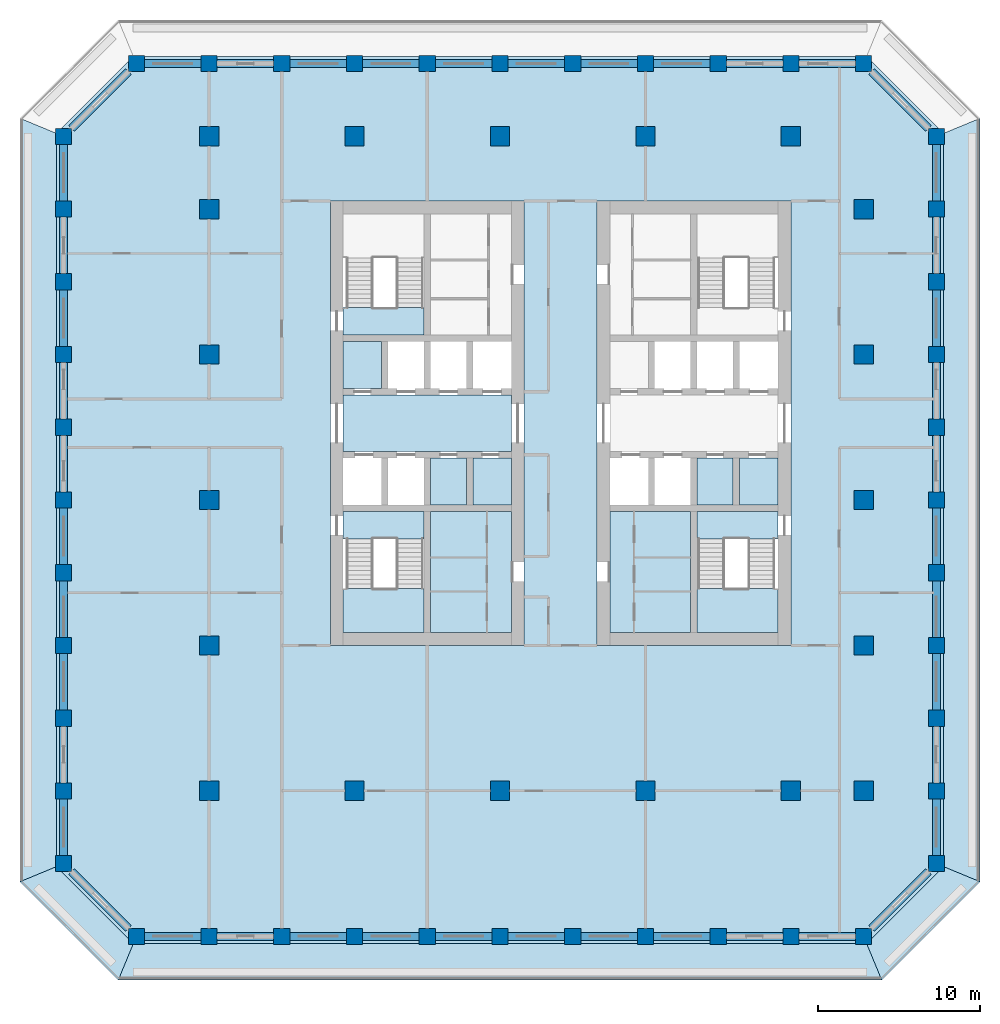
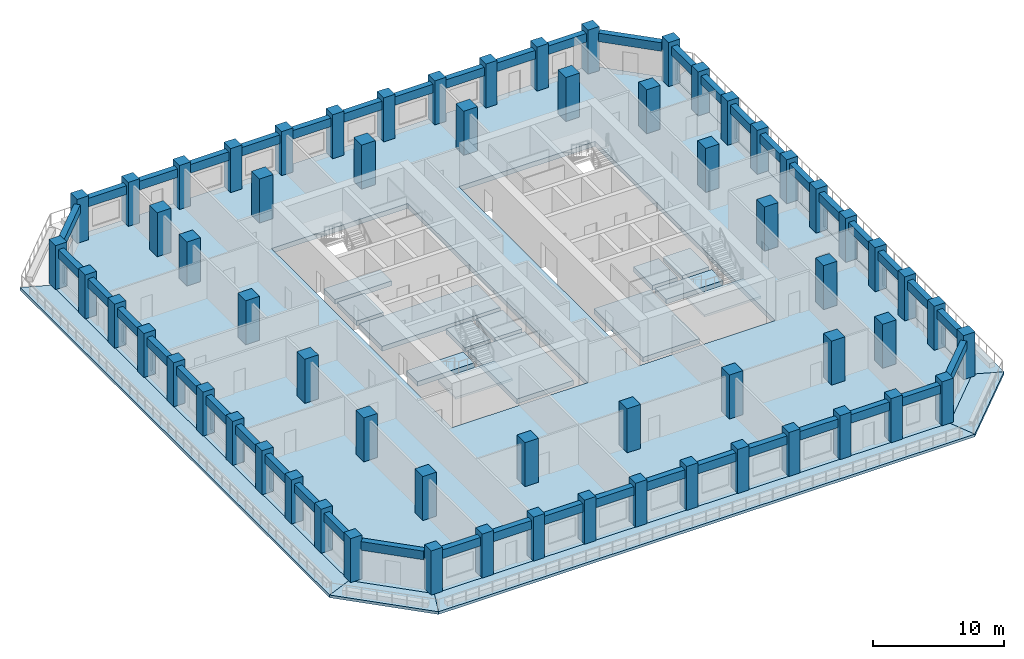
# One storey, part 1 of 16: 63 columns, 44 beams, 19 slabs, 2 elements without a shape of their own.
"""IFC4 building model written with IfcOpenShell, lengths in metres."""

from ifc_helpers import new_model, si_unit, direction, frame, origin, origin_2d, place, context, subcontext, project, spatial, polyline, rectangle, outline, extrude, material, layer, layer_set, material_profile, profile_set, type_object, element, aggregate, save


model = new_model("IFC4")

# Units and contexts
model_context = context("Model", 3, precision=1e-05, world=origin(), true_north=direction((0.0, 1.0)))
body_context = subcontext(model_context, "Body", "Model", "MODEL_VIEW")
ifc_project = project(units=[si_unit("LENGTHUNIT", "METRE"), si_unit("AREAUNIT", "SQUARE_METRE"), si_unit("VOLUMEUNIT", "CUBIC_METRE"), si_unit("PLANEANGLEUNIT", "RADIAN"), si_unit("MASSUNIT", "GRAM", prefix="KILO")], contexts=[model_context])

# Site, building, storey
site_placement = place(None, origin())
site = spatial("IfcSite", under=ifc_project, at=site_placement, CompositionType="ELEMENT")
building_placement = place(site_placement, origin())
building = spatial("IfcBuilding", under=site, at=building_placement, Name="Corbel Stack Research Tower", CompositionType="ELEMENT")
storey_placement = place(building_placement, frame((0.0, 0.0, 169.10009765625)))
storey = spatial("IfcBuildingStorey", under=building, at=storey_placement, Name="L38", CompositionType="ELEMENT", Elevation=169.10009765625)

# Columns
ifc_material_1 = material(Name="Concrete C60/75", Category="concrete")
ifc_material_profile_1 = material_profile(ifc_material_1, rectangle(XDim=1.0, YDim=1.0, at=origin_2d()), Name="RC 1000 x 1000")
ifc_profile_set_1 = profile_set([ifc_material_profile_1], Name="Concrete C60/75")
column_type_1 = type_object("IfcColumnType", Name="C-1000-60", PredefinedType="COLUMN", material=ifc_profile_set_1)
for number, where, z_axis, x_axis, name in (
    (1, (-27.0, -22.5, 0.0), (0.0, 0.0, 1.0), (1.0, 0.0, 0.0), "Column 2/C L38"),
    (2, (-27.0, -18.0, 0.0), (0.0, 0.0, 1.0), (1.0, 0.0, 0.0), "Column 2/D L38"),
    (3, (-27.0, -13.5, 0.0), (0.0, 0.0, 1.0), (1.0, 0.0, 0.0), "Column 2/E L38"),
    (4, (-27.0, -9.0, 0.0), (0.0, 0.0, 1.0), (1.0, 0.0, 0.0), "Column 2/F L38"),
    (5, (-27.0, -4.5, 0.0), (0.0, 0.0, 1.0), (1.0, 0.0, 0.0), "Column 2/G L38"),
    (6, (-27.0, 0.0, 0.0), (0.0, 0.0, 1.0), (1.0, 0.0, 0.0), "Column 2/H L38"),
    (7, (-27.0, 4.5, 0.0), (0.0, 0.0, 1.0), (1.0, 0.0, 0.0), "Column 2/J L38"),
    (8, (-27.0, 9.0, 0.0), (0.0, 0.0, 1.0), (1.0, 0.0, 0.0), "Column 2/K L38"),
    (9, (-27.0, 13.5, 0.0), (0.0, 0.0, 1.0), (1.0, 0.0, 0.0), "Column 2/L L38"),
    (10, (-27.0, 18.0, 0.0), (0.0, 0.0, 1.0), (1.0, 0.0, 0.0), "Column 2/M L38"),
    (11, (-27.0, 22.5, 0.0), (0.0, 0.0, 1.0), (1.0, 0.0, 0.0), "Column 2/N L38"),
    (12, (-22.5, -27.0, 0.0), (0.0, 0.0, 1.0), (1.0, 0.0, 0.0), "Column 3/B L38"),
    (13, (-22.5, 27.0, 0.0), (0.0, 0.0, 1.0), (1.0, 0.0, 0.0), "Column 3/P L38"),
    (14, (-18.0, -27.0, 0.0), (0.0, 0.0, 1.0), (1.0, 0.0, 0.0), "Column 4/B L38"),
    (15, (-18.0, 27.0, 0.0), (0.0, 0.0, 1.0), (1.0, 0.0, 0.0), "Column 4/P L38"),
    (16, (-13.5, -27.0, 0.0), (0.0, 0.0, 1.0), (1.0, 0.0, 0.0), "Column 5/B L38"),
    (17, (-13.5, 27.0, 0.0), (0.0, 0.0, 1.0), (1.0, 0.0, 0.0), "Column 5/P L38"),
    (18, (-9.0, -27.0, 0.0), (0.0, 0.0, 1.0), (1.0, 0.0, 0.0), "Column 6/B L38"),
    (19, (-9.0, 27.0, 0.0), (0.0, 0.0, 1.0), (1.0, 0.0, 0.0), "Column 6/P L38"),
    (20, (-4.5, -27.0, 0.0), (0.0, 0.0, 1.0), (1.0, 0.0, 0.0), "Column 7/B L38"),
    (21, (-4.5, 27.0, 0.0), (0.0, 0.0, 1.0), (1.0, 0.0, 0.0), "Column 7/P L38"),
    (22, (0.0, -27.0, 0.0), (0.0, 0.0, 1.0), (1.0, 0.0, 0.0), "Column 8/B L38"),
    (23, (0.0, 27.0, 0.0), (0.0, 0.0, 1.0), (1.0, 0.0, 0.0), "Column 8/P L38"),
    (24, (4.5, -27.0, 0.0), (0.0, 0.0, 1.0), (1.0, 0.0, 0.0), "Column 9/B L38"),
    (25, (4.5, 27.0, 0.0), (0.0, 0.0, 1.0), (1.0, 0.0, 0.0), "Column 9/P L38"),
    (26, (9.0, -27.0, 0.0), (0.0, 0.0, 1.0), (1.0, 0.0, 0.0), "Column 10/B L38"),
    (27, (9.0, 27.0, 0.0), (0.0, 0.0, 1.0), (1.0, 0.0, 0.0), "Column 10/P L38"),
    (28, (13.5, -27.0, 0.0), (0.0, 0.0, 1.0), (1.0, 0.0, 0.0), "Column 11/B L38"),
    (29, (13.5, 27.0, 0.0), (0.0, 0.0, 1.0), (1.0, 0.0, 0.0), "Column 11/P L38"),
    (30, (18.0, -27.0, 0.0), (0.0, 0.0, 1.0), (1.0, 0.0, 0.0), "Column 12/B L38"),
    (31, (18.0, 27.0, 0.0), (0.0, 0.0, 1.0), (1.0, 0.0, 0.0), "Column 12/P L38"),
    (32, (22.5, -27.0, 0.0), (0.0, 0.0, 1.0), (1.0, 0.0, 0.0), "Column 13/B L38"),
    (33, (22.5, 27.0, 0.0), (0.0, 0.0, 1.0), (1.0, 0.0, 0.0), "Column 13/P L38"),
    (34, (27.0, -22.5, 0.0), (0.0, 0.0, 1.0), (1.0, 0.0, 0.0), "Column 14/C L38"),
    (35, (27.0, -18.0, 0.0), (0.0, 0.0, 1.0), (1.0, 0.0, 0.0), "Column 14/D L38"),
    (36, (27.0, -13.5, 0.0), (0.0, 0.0, 1.0), (1.0, 0.0, 0.0), "Column 14/E L38"),
    (37, (27.0, -9.0, 0.0), (0.0, 0.0, 1.0), (1.0, 0.0, 0.0), "Column 14/F L38"),
    (38, (27.0, -4.5, 0.0), (0.0, 0.0, 1.0), (1.0, 0.0, 0.0), "Column 14/G L38"),
    (39, (27.0, 0.0, 0.0), (0.0, 0.0, 1.0), (1.0, 0.0, 0.0), "Column 14/H L38"),
    (40, (27.0, 4.5, 0.0), (0.0, 0.0, 1.0), (1.0, 0.0, 0.0), "Column 14/J L38"),
    (41, (27.0, 9.0, 0.0), (0.0, 0.0, 1.0), (1.0, 0.0, 0.0), "Column 14/K L38"),
    (42, (27.0, 13.5, 0.0), (0.0, 0.0, 1.0), (1.0, 0.0, 0.0), "Column 14/L L38"),
    (43, (27.0, 18.0, 0.0), (0.0, 0.0, 1.0), (1.0, 0.0, 0.0), "Column 14/M L38"),
    (44, (27.0, 22.5, 0.0), (0.0, 0.0, 1.0), (1.0, 0.0, 0.0), "Column 14/N L38"),
):
    element("IfcColumn", number, at=place(storey_placement, frame(where, z_axis=z_axis, x_axis=x_axis)), inside=storey, type_object=column_type_1, Name=name, PredefinedType="COLUMN", context=body_context, shape_type="SweptSolid", body=[
        extrude(rectangle(XDim=1.0, YDim=1.0, at=origin_2d()), origin(), (0.0, 0.0, 1.0), 4.099853515625),
    ])
ifc_material_2 = material(Name="Concrete C60/75", Category="concrete")
ifc_material_profile_2 = material_profile(ifc_material_2, rectangle(XDim=1.199951171875, YDim=1.199951171875, at=origin_2d()), Name="RC 1200 x 1200")
ifc_profile_set_2 = profile_set([ifc_material_profile_2], Name="Concrete C60/75")
column_type_2 = type_object("IfcColumnType", Name="C-1200-60", PredefinedType="COLUMN", material=ifc_profile_set_2)
for number, where, z_axis, x_axis, name in (
    (45, (-18.0, -18.0, 0.0), (0.0, 0.0, 1.0), (1.0, 0.0, 0.0), "Column 4/D L38"),
    (46, (-18.0, -9.0, 0.0), (0.0, 0.0, 1.0), (1.0, 0.0, 0.0), "Column 4/F L38"),
    (47, (-18.0, 0.0, 0.0), (0.0, 0.0, 1.0), (1.0, 0.0, 0.0), "Column 4/H L38"),
    (48, (-18.0, 9.0, 0.0), (0.0, 0.0, 1.0), (1.0, 0.0, 0.0), "Column 4/K L38"),
    (49, (-18.0, 18.0, 0.0), (0.0, 0.0, 1.0), (1.0, 0.0, 0.0), "Column 4/M L38"),
    (50, (-18.0, 22.5, 0.0), (0.0, 0.0, 1.0), (1.0, 0.0, 0.0), "Column 4/N L38"),
    (51, (-9.0, -18.0, 0.0), (0.0, 0.0, 1.0), (1.0, 0.0, 0.0), "Column 6/D L38"),
    (52, (-9.0, 22.5, 0.0), (0.0, 0.0, 1.0), (1.0, 0.0, 0.0), "Column 6/N L38"),
    (53, (0.0, -18.0, 0.0), (0.0, 0.0, 1.0), (1.0, 0.0, 0.0), "Column 8/D L38"),
    (54, (0.0, 22.5, 0.0), (0.0, 0.0, 1.0), (1.0, 0.0, 0.0), "Column 8/N L38"),
    (55, (9.0, -18.0, 0.0), (0.0, 0.0, 1.0), (1.0, 0.0, 0.0), "Column 10/D L38"),
    (56, (9.0, 22.5, 0.0), (0.0, 0.0, 1.0), (1.0, 0.0, 0.0), "Column 10/N L38"),
    (57, (18.0, -18.0, 0.0), (0.0, 0.0, 1.0), (1.0, 0.0, 0.0), "Column 12/D L38"),
    (58, (18.0, 22.5, 0.0), (0.0, 0.0, 1.0), (1.0, 0.0, 0.0), "Column 12/N L38"),
    (59, (22.5, -18.0, 0.0), (0.0, 0.0, 1.0), (1.0, 0.0, 0.0), "Column 13/D L38"),
    (60, (22.5, -9.0, 0.0), (0.0, 0.0, 1.0), (1.0, 0.0, 0.0), "Column 13/F L38"),
    (61, (22.5, 0.0, 0.0), (0.0, 0.0, 1.0), (1.0, 0.0, 0.0), "Column 13/H L38"),
    (62, (22.5, 9.0, 0.0), (0.0, 0.0, 1.0), (1.0, 0.0, 0.0), "Column 13/K L38"),
    (63, (22.5, 18.0, 0.0), (0.0, 0.0, 1.0), (1.0, 0.0, 0.0), "Column 13/M L38"),
):
    element("IfcColumn", number, at=place(storey_placement, frame(where, z_axis=z_axis, x_axis=x_axis)), inside=storey, type_object=column_type_2, Name=name, PredefinedType="COLUMN", context=body_context, shape_type="SweptSolid", body=[
        extrude(rectangle(XDim=1.199951171875, YDim=1.199951171875, at=origin_2d()), origin(), (0.0, 0.0, 1.0), 4.099853515625),
    ])

# Beams
ifc_material_3 = material(Name="Concrete C60/75", Category="concrete")
ifc_material_profile_3 = material_profile(ifc_material_3, rectangle(XDim=0.5, YDim=0.800048828125, at=origin_2d()), Name="RC 500 x 800")
ifc_profile_set_3 = profile_set([ifc_material_profile_3], Name="Concrete C60/75")
beam_type = type_object("IfcBeamType", Name="SB-500-800-450", PredefinedType="SPANDREL", material=ifc_profile_set_3)
for number, where, z_axis, x_axis, name in (
    (64, (-22.0, -27.0, 3.25), (1.0, 0.0, 0.0), (0.0, 1.0, 0.0), "Spandrel beam L38-01"),
    (65, (-17.5, -27.0, 3.25), (1.0, 0.0, 0.0), (0.0, 1.0, 0.0), "Spandrel beam L38-02"),
    (66, (-13.0, -27.0, 3.25), (1.0, 0.0, 0.0), (0.0, 1.0, 0.0), "Spandrel beam L38-03"),
    (67, (-8.5, -27.0, 3.25), (1.0, 0.0, 0.0), (0.0, 1.0, 0.0), "Spandrel beam L38-04"),
    (68, (-4.0, -27.0, 3.25), (1.0, 0.0, 0.0), (0.0, 1.0, 0.0), "Spandrel beam L38-05"),
    (69, (0.5, -27.0, 3.25), (1.0, 0.0, 0.0), (0.0, 1.0, 0.0), "Spandrel beam L38-06"),
    (70, (5.0, -27.0, 3.25), (1.0, 0.0, 0.0), (0.0, 1.0, 0.0), "Spandrel beam L38-07"),
    (71, (9.5, -27.0, 3.25), (1.0, 0.0, 0.0), (0.0, 1.0, 0.0), "Spandrel beam L38-08"),
    (72, (14.0, -27.0, 3.25), (1.0, 0.0, 0.0), (0.0, 1.0, 0.0), "Spandrel beam L38-09"),
    (73, (18.5, -27.0, 3.25), (1.0, 0.0, 0.0), (0.0, 1.0, 0.0), "Spandrel beam L38-10"),
):
    element("IfcBeam", number, at=place(storey_placement, frame(where, z_axis=z_axis, x_axis=x_axis)), inside=storey, type_object=beam_type, Name=name, PredefinedType="SPANDREL", context=body_context, shape_type="SweptSolid", body=[
        extrude(rectangle(XDim=0.5, YDim=0.800048828125, at=origin_2d()), origin(), (0.0, 0.0, 1.0), 3.5),
    ])
beam_1_placement = place(storey_placement, frame((23.0, -26.5, 3.25), z_axis=(0.707106781187, 0.707106781187, 0.0), x_axis=(-0.707106781187, 0.707106781187, 0.0)))
element("IfcBeam", 74, at=beam_1_placement, inside=storey, type_object=beam_type, Name="Spandrel beam L38-11", PredefinedType="SPANDREL", context=body_context, shape_type="SweptSolid", body=[
    extrude(rectangle(XDim=0.5, YDim=0.800048828125, at=origin_2d()), origin(), (0.0, 0.0, 1.0), 4.94970703125),
])
for number, where, z_axis, x_axis, name in (
    (75, (27.0, -22.0, 3.25), (0.0, 1.0, 0.0), (-1.0, 0.0, 0.0), "Spandrel beam L38-12"),
    (76, (27.0, -17.5, 3.25), (0.0, 1.0, 0.0), (-1.0, 0.0, 0.0), "Spandrel beam L38-13"),
    (77, (27.0, -13.0, 3.25), (0.0, 1.0, 0.0), (-1.0, 0.0, 0.0), "Spandrel beam L38-14"),
    (78, (27.0, -8.5, 3.25), (0.0, 1.0, 0.0), (-1.0, 0.0, 0.0), "Spandrel beam L38-15"),
    (79, (27.0, -4.0, 3.25), (0.0, 1.0, 0.0), (-1.0, 0.0, 0.0), "Spandrel beam L38-16"),
    (80, (27.0, 0.5, 3.25), (0.0, 1.0, 0.0), (-1.0, 0.0, 0.0), "Spandrel beam L38-17"),
    (81, (27.0, 5.0, 3.25), (0.0, 1.0, 0.0), (-1.0, 0.0, 0.0), "Spandrel beam L38-18"),
    (82, (27.0, 9.5, 3.25), (0.0, 1.0, 0.0), (-1.0, 0.0, 0.0), "Spandrel beam L38-19"),
    (83, (27.0, 14.0, 3.25), (0.0, 1.0, 0.0), (-1.0, 0.0, 0.0), "Spandrel beam L38-20"),
    (84, (27.0, 18.5, 3.25), (0.0, 1.0, 0.0), (-1.0, 0.0, 0.0), "Spandrel beam L38-21"),
):
    element("IfcBeam", number, at=place(storey_placement, frame(where, z_axis=z_axis, x_axis=x_axis)), inside=storey, type_object=beam_type, Name=name, PredefinedType="SPANDREL", context=body_context, shape_type="SweptSolid", body=[
        extrude(rectangle(XDim=0.5, YDim=0.800048828125, at=origin_2d()), origin(), (0.0, 0.0, 1.0), 3.5),
    ])
beam_2_placement = place(storey_placement, frame((26.5, 23.0, 3.25), z_axis=(-0.707106781187, 0.707106781187, 0.0), x_axis=(-0.707106781187, -0.707106781187, 0.0)))
element("IfcBeam", 85, at=beam_2_placement, inside=storey, type_object=beam_type, Name="Spandrel beam L38-22", PredefinedType="SPANDREL", context=body_context, shape_type="SweptSolid", body=[
    extrude(rectangle(XDim=0.5, YDim=0.800048828125, at=origin_2d()), origin(), (0.0, 0.0, 1.0), 4.94970703125),
])
for number, where, z_axis, x_axis, name in (
    (86, (22.0, 27.0, 3.25), (-1.0, 0.0, 0.0), (0.0, -1.0, 0.0), "Spandrel beam L38-23"),
    (87, (17.5, 27.0, 3.25), (-1.0, 0.0, 0.0), (0.0, -1.0, 0.0), "Spandrel beam L38-24"),
    (88, (13.0, 27.0, 3.25), (-1.0, 0.0, 0.0), (0.0, -1.0, 0.0), "Spandrel beam L38-25"),
    (89, (8.5, 27.0, 3.25), (-1.0, 0.0, 0.0), (0.0, -1.0, 0.0), "Spandrel beam L38-26"),
    (90, (4.0, 27.0, 3.25), (-1.0, 0.0, 0.0), (0.0, -1.0, 0.0), "Spandrel beam L38-27"),
    (91, (-0.5, 27.0, 3.25), (-1.0, 0.0, 0.0), (0.0, -1.0, 0.0), "Spandrel beam L38-28"),
    (92, (-5.0, 27.0, 3.25), (-1.0, 0.0, 0.0), (0.0, -1.0, 0.0), "Spandrel beam L38-29"),
    (93, (-9.5, 27.0, 3.25), (-1.0, 0.0, 0.0), (0.0, -1.0, 0.0), "Spandrel beam L38-30"),
    (94, (-14.0, 27.0, 3.25), (-1.0, 0.0, 0.0), (0.0, -1.0, 0.0), "Spandrel beam L38-31"),
    (95, (-18.5, 27.0, 3.25), (-1.0, 0.0, 0.0), (0.0, -1.0, 0.0), "Spandrel beam L38-32"),
):
    element("IfcBeam", number, at=place(storey_placement, frame(where, z_axis=z_axis, x_axis=x_axis)), inside=storey, type_object=beam_type, Name=name, PredefinedType="SPANDREL", context=body_context, shape_type="SweptSolid", body=[
        extrude(rectangle(XDim=0.5, YDim=0.800048828125, at=origin_2d()), origin(), (0.0, 0.0, 1.0), 3.5),
    ])
beam_3_placement = place(storey_placement, frame((-23.0, 26.5, 3.25), z_axis=(-0.707106781187, -0.707106781187, 0.0), x_axis=(0.707106781187, -0.707106781187, 0.0)))
element("IfcBeam", 96, at=beam_3_placement, inside=storey, type_object=beam_type, Name="Spandrel beam L38-33", PredefinedType="SPANDREL", context=body_context, shape_type="SweptSolid", body=[
    extrude(rectangle(XDim=0.5, YDim=0.800048828125, at=origin_2d()), origin(), (0.0, 0.0, 1.0), 4.94970703125),
])
for number, where, z_axis, x_axis, name in (
    (97, (-27.0, 22.0, 3.25), (0.0, -1.0, 0.0), (1.0, 0.0, 0.0), "Spandrel beam L38-34"),
    (98, (-27.0, 17.5, 3.25), (0.0, -1.0, 0.0), (1.0, 0.0, 0.0), "Spandrel beam L38-35"),
    (99, (-27.0, 13.0, 3.25), (0.0, -1.0, 0.0), (1.0, 0.0, 0.0), "Spandrel beam L38-36"),
    (100, (-27.0, 8.5, 3.25), (0.0, -1.0, 0.0), (1.0, 0.0, 0.0), "Spandrel beam L38-37"),
    (101, (-27.0, 4.0, 3.25), (0.0, -1.0, 0.0), (1.0, 0.0, 0.0), "Spandrel beam L38-38"),
    (102, (-27.0, -0.5, 3.25), (0.0, -1.0, 0.0), (1.0, 0.0, 0.0), "Spandrel beam L38-39"),
    (103, (-27.0, -5.0, 3.25), (0.0, -1.0, 0.0), (1.0, 0.0, 0.0), "Spandrel beam L38-40"),
    (104, (-27.0, -9.5, 3.25), (0.0, -1.0, 0.0), (1.0, 0.0, 0.0), "Spandrel beam L38-41"),
    (105, (-27.0, -14.0, 3.25), (0.0, -1.0, 0.0), (1.0, 0.0, 0.0), "Spandrel beam L38-42"),
    (106, (-27.0, -18.5, 3.25), (0.0, -1.0, 0.0), (1.0, 0.0, 0.0), "Spandrel beam L38-43"),
):
    element("IfcBeam", number, at=place(storey_placement, frame(where, z_axis=z_axis, x_axis=x_axis)), inside=storey, type_object=beam_type, Name=name, PredefinedType="SPANDREL", context=body_context, shape_type="SweptSolid", body=[
        extrude(rectangle(XDim=0.5, YDim=0.800048828125, at=origin_2d()), origin(), (0.0, 0.0, 1.0), 3.5),
    ])
beam_4_placement = place(storey_placement, frame((-26.5, -23.0, 3.25), z_axis=(0.707106781187, -0.707106781187, 0.0), x_axis=(0.707106781187, 0.707106781187, 0.0)))
element("IfcBeam", 107, at=beam_4_placement, inside=storey, type_object=beam_type, Name="Spandrel beam L38-44", PredefinedType="SPANDREL", context=body_context, shape_type="SweptSolid", body=[
    extrude(rectangle(XDim=0.5, YDim=0.800048828125, at=origin_2d()), origin(), (0.0, 0.0, 1.0), 4.94970703125),
])

# Slabs
ifc_material_4 = material(Name="Concrete C45/55", Category="concrete")
ifc_layer_1 = layer(ifc_material_4, 0.25)
ifc_layer_set_1 = layer_set([ifc_layer_1], Name="Concrete C45/55")
slab_type_1 = type_object("IfcSlabType", Name="PT balcony slab 250 C45/55", PredefinedType="FLOOR", material=ifc_layer_set_1)
slab_1_placement = place(storey_placement, frame((0.0, 0.0, -0.25)))
element("IfcSlab", 108, at=slab_1_placement, inside=storey, type_object=slab_type_1, Name="Loggia slab L38 S", PredefinedType="FLOOR", context=body_context, shape_type="SweptSolid", body=[
    extrude(outline(polyline([(22.70703125, -27.5), (22.0, -27.5), (22.0, -27.449951171875), (18.5, -27.449951171875), (18.5, -27.5), (17.5, -27.5), (17.5, -27.449951171875), (14.0, -27.449951171875), (14.0, -27.5), (13.0, -27.5), (13.0, -27.449951171875), (9.5, -27.449951171875), (9.5, -27.5), (8.5, -27.5), (8.5, -27.449951171875), (5.0, -27.449951171875), (5.0, -27.5), (4.0, -27.5), (4.0, -27.449951171875), (0.5, -27.449951171875), (0.5, -27.5), (-0.5, -27.5), (-0.5, -27.449951171875), (-4.0, -27.449951171875), (-4.0, -27.5), (-5.0, -27.5), (-5.0, -27.449951171875), (-8.5, -27.449951171875), (-8.5, -27.5), (-9.5, -27.5), (-9.5, -27.449951171875), (-13.0, -27.449951171875), (-13.0, -27.5), (-14.0, -27.5), (-14.0, -27.449951171875), (-17.5, -27.449951171875), (-17.5, -27.5), (-18.5, -27.5), (-18.5, -27.449951171875), (-22.0, -27.449951171875), (-22.0, -27.5), (-22.70703125, -27.5), (-23.618408203125, -29.699951171875), (23.618408203125, -29.699951171875), (22.70703125, -27.5)])), origin(), (0.0, 0.0, 1.0), 0.25),
])
slab_2_placement = place(storey_placement, frame((0.0, 0.0, -0.25)))
element("IfcSlab", 109, at=slab_2_placement, inside=storey, type_object=slab_type_1, Name="Loggia slab L38 SE", PredefinedType="FLOOR", context=body_context, shape_type="SweptSolid", body=[
    extrude(outline(polyline([(27.5, -22.70703125), (27.5, -23.0), (27.136474609375, -23.0), (23.0, -27.136474609375), (23.0, -27.5), (22.70703125, -27.5), (23.618408203125, -29.699951171875), (29.699951171875, -23.618408203125), (27.5, -22.70703125)])), origin(), (0.0, 0.0, 1.0), 0.25),
])
slab_3_placement = place(storey_placement, frame((0.0, 0.0, -0.25)))
element("IfcSlab", 110, at=slab_3_placement, inside=storey, type_object=slab_type_1, Name="Loggia slab L38 E", PredefinedType="FLOOR", context=body_context, shape_type="SweptSolid", body=[
    extrude(outline(polyline([(27.5, 22.70703125), (27.5, 22.0), (27.449951171875, 22.0), (27.449951171875, 18.5), (27.5, 18.5), (27.5, 17.5), (27.449951171875, 17.5), (27.449951171875, 14.0), (27.5, 14.0), (27.5, 13.0), (27.449951171875, 13.0), (27.449951171875, 9.5), (27.5, 9.5), (27.5, 8.5), (27.449951171875, 8.5), (27.449951171875, 5.0), (27.5, 5.0), (27.5, 4.0), (27.449951171875, 4.0), (27.449951171875, 0.5), (27.5, 0.5), (27.5, -0.5), (27.449951171875, -0.5), (27.449951171875, -4.0), (27.5, -4.0), (27.5, -5.0), (27.449951171875, -5.0), (27.449951171875, -8.5), (27.5, -8.5), (27.5, -9.5), (27.449951171875, -9.5), (27.449951171875, -13.0), (27.5, -13.0), (27.5, -14.0), (27.449951171875, -14.0), (27.449951171875, -17.5), (27.5, -17.5), (27.5, -18.5), (27.449951171875, -18.5), (27.449951171875, -22.0), (27.5, -22.0), (27.5, -22.70703125), (29.699951171875, -23.618408203125), (29.699951171875, 23.618408203125), (27.5, 22.70703125)])), origin(), (0.0, 0.0, 1.0), 0.25),
])
slab_4_placement = place(storey_placement, frame((0.0, 0.0, -0.25)))
element("IfcSlab", 111, at=slab_4_placement, inside=storey, type_object=slab_type_1, Name="Loggia slab L38 W", PredefinedType="FLOOR", context=body_context, shape_type="SweptSolid", body=[
    extrude(outline(polyline([(-27.5, -22.70703125), (-27.5, -22.0), (-27.449951171875, -22.0), (-27.449951171875, -18.5), (-27.5, -18.5), (-27.5, -17.5), (-27.449951171875, -17.5), (-27.449951171875, -14.0), (-27.5, -14.0), (-27.5, -13.0), (-27.449951171875, -13.0), (-27.449951171875, -9.5), (-27.5, -9.5), (-27.5, -8.5), (-27.449951171875, -8.5), (-27.449951171875, -5.0), (-27.5, -5.0), (-27.5, -4.0), (-27.449951171875, -4.0), (-27.449951171875, -0.5), (-27.5, -0.5), (-27.5, 0.5), (-27.449951171875, 0.5), (-27.449951171875, 4.0), (-27.5, 4.0), (-27.5, 5.0), (-27.449951171875, 5.0), (-27.449951171875, 8.5), (-27.5, 8.5), (-27.5, 9.5), (-27.449951171875, 9.5), (-27.449951171875, 13.0), (-27.5, 13.0), (-27.5, 14.0), (-27.449951171875, 14.0), (-27.449951171875, 17.5), (-27.5, 17.5), (-27.5, 18.5), (-27.449951171875, 18.5), (-27.449951171875, 22.0), (-27.5, 22.0), (-27.5, 22.70703125), (-29.699951171875, 23.618408203125), (-29.699951171875, -23.618408203125), (-27.5, -22.70703125)])), origin(), (0.0, 0.0, 1.0), 0.25),
])
slab_5_placement = place(storey_placement, frame((0.0, 0.0, -0.25)))
element("IfcSlab", 112, at=slab_5_placement, inside=storey, type_object=slab_type_1, Name="Loggia slab L38 SW", PredefinedType="FLOOR", context=body_context, shape_type="SweptSolid", body=[
    extrude(outline(polyline([(-22.70703125, -27.5), (-23.0, -27.5), (-23.0, -27.136474609375), (-27.136474609375, -23.0), (-27.5, -23.0), (-27.5, -22.70703125), (-29.699951171875, -23.618408203125), (-23.618408203125, -29.699951171875), (-22.70703125, -27.5)])), origin(), (0.0, 0.0, 1.0), 0.25),
])
ifc_material_5 = material(Name="Concrete C45/55", Category="concrete")
ifc_layer_2 = layer(ifc_material_5, 0.449951171875)
ifc_layer_set_2 = layer_set([ifc_layer_2], Name="Concrete C45/55")
slab_type_2 = type_object("IfcSlabType", Name="PT-450", PredefinedType="FLOOR", material=ifc_layer_set_2)
slab_6_placement = place(storey_placement, frame((0.0, 0.0, -0.4501953125)))
element("IfcSlab", 113, at=slab_6_placement, inside=storey, type_object=slab_type_2, Name="Floor slab L38", PredefinedType="FLOOR", context=body_context, shape_type="SweptSolid", body=[
    extrude(outline(polyline([(-22.686279296875, -27.449951171875), (22.686279296875, -27.449951171875), (27.449951171875, -22.686279296875), (27.449951171875, 22.686279296875), (22.686279296875, 27.449951171875), (-22.686279296875, 27.449951171875), (-27.449951171875, 22.686279296875), (-27.449951171875, -22.686279296875), (-22.686279296875, -27.449951171875)]), holes=[polyline([(23.10009765625, 17.39990234375), (21.89990234375, 17.39990234375), (21.89990234375, 18.60009765625), (23.10009765625, 18.60009765625), (23.10009765625, 17.39990234375)]), polyline([(21.89990234375, 8.39990234375), (21.89990234375, 9.60009765625), (23.10009765625, 9.60009765625), (23.10009765625, 8.39990234375), (21.89990234375, 8.39990234375)]), polyline([(23.10009765625, -0.60009765625), (21.89990234375, -0.60009765625), (21.89990234375, 0.60009765625), (23.10009765625, 0.60009765625), (23.10009765625, -0.60009765625)]), polyline([(21.89990234375, -9.60009765625), (21.89990234375, -8.39990234375), (23.10009765625, -8.39990234375), (23.10009765625, -9.60009765625), (21.89990234375, -9.60009765625)]), polyline([(21.89990234375, -18.60009765625), (21.89990234375, -17.39990234375), (23.10009765625, -17.39990234375), (23.10009765625, -18.60009765625), (21.89990234375, -18.60009765625)]), polyline([(17.39990234375, 21.89990234375), (17.39990234375, 23.10009765625), (18.60009765625, 23.10009765625), (18.60009765625, 21.89990234375), (17.39990234375, 21.89990234375)]), polyline([(18.60009765625, -18.60009765625), (17.39990234375, -18.60009765625), (17.39990234375, -17.39990234375), (18.60009765625, -17.39990234375), (18.60009765625, -18.60009765625)]), polyline([(6.0, -9.0), (6.0, 18.5), (18.0, 18.5), (18.0, -9.0), (6.0, -9.0)]), polyline([(8.39990234375, 21.89990234375), (8.39990234375, 23.10009765625), (9.60009765625, 23.10009765625), (9.60009765625, 21.89990234375), (8.39990234375, 21.89990234375)]), polyline([(9.60009765625, -18.60009765625), (8.39990234375, -18.60009765625), (8.39990234375, -17.39990234375), (9.60009765625, -17.39990234375), (9.60009765625, -18.60009765625)]), polyline([(1.5, -9.0), (-10.5, -9.0), (-10.5, 18.5), (1.5, 18.5), (1.5, -9.0)]), polyline([(0.60009765625, 21.89990234375), (-0.60009765625, 21.89990234375), (-0.60009765625, 23.10009765625), (0.60009765625, 23.10009765625), (0.60009765625, 21.89990234375)]), polyline([(0.60009765625, -18.60009765625), (-0.60009765625, -18.60009765625), (-0.60009765625, -17.39990234375), (0.60009765625, -17.39990234375), (0.60009765625, -18.60009765625)]), polyline([(-9.60009765625, 21.89990234375), (-9.60009765625, 23.10009765625), (-8.39990234375, 23.10009765625), (-8.39990234375, 21.89990234375), (-9.60009765625, 21.89990234375)]), polyline([(-8.39990234375, -18.60009765625), (-9.60009765625, -18.60009765625), (-9.60009765625, -17.39990234375), (-8.39990234375, -17.39990234375), (-8.39990234375, -18.60009765625)]), polyline([(-18.60009765625, 21.89990234375), (-18.60009765625, 23.10009765625), (-17.39990234375, 23.10009765625), (-17.39990234375, 21.89990234375), (-18.60009765625, 21.89990234375)]), polyline([(-17.39990234375, 17.39990234375), (-18.60009765625, 17.39990234375), (-18.60009765625, 18.60009765625), (-17.39990234375, 18.60009765625), (-17.39990234375, 17.39990234375)]), polyline([(-17.39990234375, 8.39990234375), (-18.60009765625, 8.39990234375), (-18.60009765625, 9.60009765625), (-17.39990234375, 9.60009765625), (-17.39990234375, 8.39990234375)]), polyline([(-18.60009765625, -0.60009765625), (-18.60009765625, 0.60009765625), (-17.39990234375, 0.60009765625), (-17.39990234375, -0.60009765625), (-18.60009765625, -0.60009765625)]), polyline([(-18.60009765625, -9.60009765625), (-18.60009765625, -8.39990234375), (-17.39990234375, -8.39990234375), (-17.39990234375, -9.60009765625), (-18.60009765625, -9.60009765625)]), polyline([(-17.39990234375, -18.60009765625), (-18.60009765625, -18.60009765625), (-18.60009765625, -17.39990234375), (-17.39990234375, -17.39990234375), (-17.39990234375, -18.60009765625)])]), origin(), (0.0, 0.0, 1.0), 0.4501953125),
])
slab_7_placement = place(storey_placement, frame((0.0, 0.0, -0.4501953125)))
element("IfcSlab", 114, at=slab_7_placement, inside=storey, type_object=slab_type_2, Name="West core floor L38", PredefinedType="FLOOR", context=body_context, shape_type="SweptSolid", body=[
    extrude(outline(polyline([(0.699951171875, 6.5), (-9.699951171875, 6.5), (-9.699951171875, 3.0), (0.699951171875, 3.0), (0.699951171875, 6.5)])), origin(), (0.0, 0.0, 1.0), 0.4501953125),
])
slab_8_placement = place(storey_placement, frame((0.0, 0.0, -0.4501953125)))
element("IfcSlab", 115, at=slab_8_placement, inside=storey, type_object=slab_type_2, Name="West core floor L38", PredefinedType="FLOOR", context=body_context, shape_type="SweptSolid", body=[
    extrude(outline(polyline([(-9.699951171875, 6.89990234375), (-7.324951171875, 6.89990234375), (-7.324951171875, 9.800048828125), (-9.699951171875, 9.800048828125), (-9.699951171875, 6.89990234375)])), origin(), (0.0, 0.0, 1.0), 0.4501953125),
])
slab_9_placement = place(storey_placement, frame((0.0, 0.0, -0.4501953125)))
element("IfcSlab", 116, at=slab_9_placement, inside=storey, type_object=slab_type_2, Name="West core floor L38", PredefinedType="FLOOR", context=body_context, shape_type="SweptSolid", body=[
    extrude(outline(polyline([(-4.300048828125, -0.699951171875), (-4.300048828125, -8.199951171875), (0.699951171875, -8.199951171875), (0.699951171875, -0.699951171875), (-4.300048828125, -0.699951171875)])), origin(), (0.0, 0.0, 1.0), 0.4501953125),
])
slab_10_placement = place(storey_placement, frame((0.0, 0.0, -0.4501953125)))
element("IfcSlab", 117, at=slab_10_placement, inside=storey, type_object=slab_type_2, Name="West core floor L38", PredefinedType="FLOOR", context=body_context, shape_type="SweptSolid", body=[
    extrude(outline(polyline([(-2.074951171875, -0.300048828125), (-2.074951171875, 2.60009765625), (-4.300048828125, 2.60009765625), (-4.300048828125, -0.300048828125), (-2.074951171875, -0.300048828125)])), origin(), (0.0, 0.0, 1.0), 0.4501953125),
])
slab_11_placement = place(storey_placement, frame((0.0, 0.0, -0.4501953125)))
element("IfcSlab", 118, at=slab_11_placement, inside=storey, type_object=slab_type_2, Name="West core floor L38", PredefinedType="FLOOR", context=body_context, shape_type="SweptSolid", body=[
    extrude(outline(polyline([(0.699951171875, -0.300048828125), (0.699951171875, 2.60009765625), (-1.675048828125, 2.60009765625), (-1.675048828125, -0.300048828125), (0.699951171875, -0.300048828125)])), origin(), (0.0, 0.0, 1.0), 0.4501953125),
])
slab_12_placement = place(storey_placement, frame((0.0, 0.0, -0.4501953125)))
element("IfcSlab", 119, at=slab_12_placement, inside=storey, type_object=slab_type_2, Name="East core floor L38", PredefinedType="FLOOR", context=body_context, shape_type="SweptSolid", body=[
    extrude(outline(polyline([(6.800048828125, -0.699951171875), (6.800048828125, -8.199951171875), (11.800048828125, -8.199951171875), (11.800048828125, -0.699951171875), (6.800048828125, -0.699951171875)])), origin(), (0.0, 0.0, 1.0), 0.4501953125),
])
slab_13_placement = place(storey_placement, frame((0.0, 0.0, -0.4501953125)))
element("IfcSlab", 120, at=slab_13_placement, inside=storey, type_object=slab_type_2, Name="East core floor L38", PredefinedType="FLOOR", context=body_context, shape_type="SweptSolid", body=[
    extrude(outline(polyline([(14.425048828125, -0.300048828125), (14.425048828125, 2.60009765625), (12.199951171875, 2.60009765625), (12.199951171875, -0.300048828125), (14.425048828125, -0.300048828125)])), origin(), (0.0, 0.0, 1.0), 0.4501953125),
])
slab_14_placement = place(storey_placement, frame((0.0, 0.0, -0.4501953125)))
element("IfcSlab", 121, at=slab_14_placement, inside=storey, type_object=slab_type_2, Name="East core floor L38", PredefinedType="FLOOR", context=body_context, shape_type="SweptSolid", body=[
    extrude(outline(polyline([(17.199951171875, -0.300048828125), (17.199951171875, 2.60009765625), (14.824951171875, 2.60009765625), (14.824951171875, -0.300048828125), (17.199951171875, -0.300048828125)])), origin(), (0.0, 0.0, 1.0), 0.4501953125),
])
slab_15_placement = place(storey_placement, frame((0.0, 0.0, -0.4501953125)))
element("IfcSlab", 122, at=slab_15_placement, inside=storey, type_object=slab_type_2, Name="Stair floor landing ST-W1", PredefinedType="FLOOR", context=body_context, shape_type="SweptSolid", body=[
    extrude(outline(polyline([(-9.699951171875, -2.39990234375), (-4.699951171875, -2.39990234375), (-4.699951171875, -0.699951171875), (-9.699951171875, -0.699951171875), (-9.699951171875, -2.39990234375)])), origin(), (0.0, 0.0, 1.0), 0.4501953125),
])
slab_16_placement = place(storey_placement, frame((0.0, 0.0, -0.4501953125)))
element("IfcSlab", 123, at=slab_16_placement, inside=storey, type_object=slab_type_2, Name="Stair floor landing ST-W2", PredefinedType="FLOOR", context=body_context, shape_type="SweptSolid", body=[
    extrude(outline(polyline([(-9.699951171875, 10.199951171875), (-4.699951171875, 10.199951171875), (-4.699951171875, 11.89990234375), (-9.699951171875, 11.89990234375), (-9.699951171875, 10.199951171875)])), origin(), (0.0, 0.0, 1.0), 0.4501953125),
])
slab_17_placement = place(storey_placement, frame((0.0, 0.0, -0.4501953125)))
element("IfcSlab", 124, at=slab_17_placement, inside=storey, type_object=slab_type_2, Name="Stair floor landing ST-E1", PredefinedType="FLOOR", context=body_context, shape_type="SweptSolid", body=[
    extrude(outline(polyline([(12.199951171875, -2.39990234375), (17.199951171875, -2.39990234375), (17.199951171875, -0.699951171875), (12.199951171875, -0.699951171875), (12.199951171875, -2.39990234375)])), origin(), (0.0, 0.0, 1.0), 0.4501953125),
])

# Stair, slab
ifc_material_6 = material(Name="Concrete C40/50", Category="concrete")
stair_type = type_object("IfcStairType", Name="Exit stair 24 risers", PredefinedType="HALF_TURN_STAIR", material=ifc_material_6)
stair_1_placement = place(storey_placement, origin())
stair_1 = element("IfcStair", 125, at=stair_1_placement, inside=storey, type_object=stair_type, Name="L38 Exit stair ST-W1", PredefinedType="HALF_TURN_STAIR")
ifc_material_7 = material(Name="Concrete C40/50", Category="concrete")
ifc_layer_3 = layer(ifc_material_7, 0.199951171875)
ifc_layer_set_3 = layer_set([ifc_layer_3], Name="Concrete C40/50")
slab_type_3 = type_object("IfcSlabType", Name="Stair landing 200 C40/50", PredefinedType="LANDING", material=ifc_layer_set_3)
slab_18_placement = place(storey_placement, frame((0.0, 0.0, 1.849853515625)))
slab_18 = element("IfcSlab", 126, at=slab_18_placement, type_object=slab_type_3, Name="ST-W1 landing 1", PredefinedType="LANDING", context=body_context, shape_type="SweptSolid", body=[
    extrude(outline(polyline([(-9.699951171875, -8.199951171875), (-9.699951171875, -5.47998046875), (-4.699951171875, -5.47998046875), (-4.699951171875, -8.199951171875), (-9.699951171875, -8.199951171875)])), origin(), (0.0, 0.0, 1.0), 0.199951171875),
])
aggregate(stair_1, [slab_18])

stair_2_placement = place(storey_placement, origin())
stair_2 = element("IfcStair", 127, at=stair_2_placement, inside=storey, type_object=stair_type, Name="L38 Exit stair ST-E1", PredefinedType="HALF_TURN_STAIR")
slab_19_placement = place(storey_placement, frame((0.0, 0.0, 1.849853515625)))
slab_19 = element("IfcSlab", 128, at=slab_19_placement, type_object=slab_type_3, Name="ST-E1 landing 1", PredefinedType="LANDING", context=body_context, shape_type="SweptSolid", body=[
    extrude(outline(polyline([(12.199951171875, -8.199951171875), (12.199951171875, -5.47998046875), (17.199951171875, -5.47998046875), (17.199951171875, -8.199951171875), (12.199951171875, -8.199951171875)])), origin(), (0.0, 0.0, 1.0), 0.199951171875),
])
aggregate(stair_2, [slab_19])

save(model, "model.ifc")
